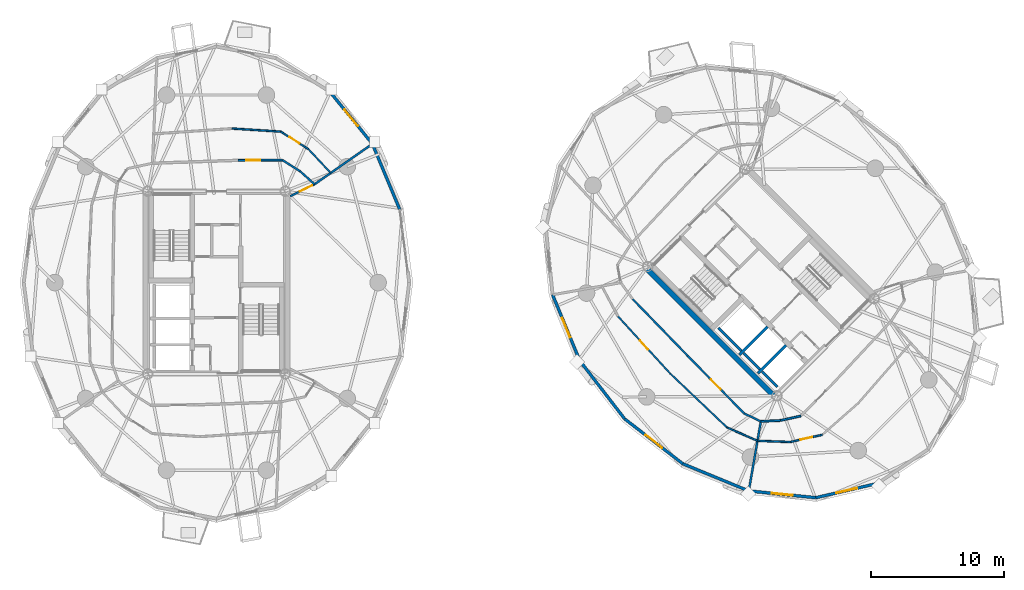
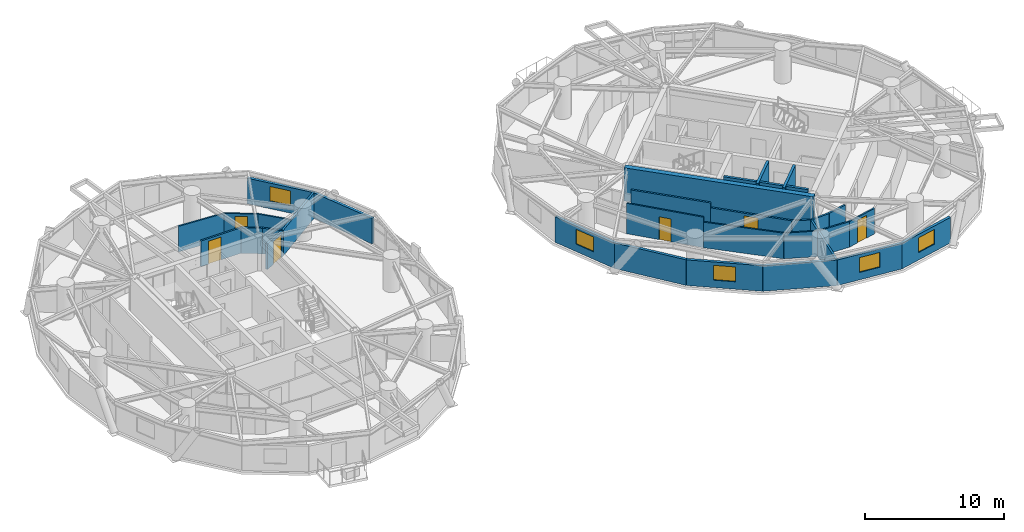
# One storey, part 13 of 19: 33 walls, 6 doors, 5 windows, 11 openings.
"""IFC4 building model written with IfcOpenShell, lengths in metres."""

from ifc_helpers import new_model, si_unit, direction, frame, frame_2d, origin, place, context, subcontext, project, spatial, rectangle, extrude, source, transform, mapped, material, layer, layer_set, type_object, element, fill, save


model = new_model("IFC4")

# Units and contexts
model_context = context("Model", 3, precision=1e-05, world=origin(), true_north=direction((0.0, 1.0)))
body_context = subcontext(model_context, "Body", "Model", "MODEL_VIEW")
ifc_project = project(units=[si_unit("LENGTHUNIT", "METRE"), si_unit("AREAUNIT", "SQUARE_METRE"), si_unit("VOLUMEUNIT", "CUBIC_METRE"), si_unit("PLANEANGLEUNIT", "RADIAN"), si_unit("MASSUNIT", "GRAM", prefix="KILO")], contexts=[model_context])

# Site, building, storey
site_placement = place(None, origin())
site = spatial("IfcSite", under=ifc_project, at=site_placement, CompositionType="ELEMENT")
building_placement = place(site_placement, origin())
building = spatial("IfcBuilding", under=site, at=building_placement, Name="Cununo Teusaquillo Station Towers", CompositionType="ELEMENT")
storey_placement = place(building_placement, frame((0.0, 0.0, 160.330078125)))
storey = spatial("IfcBuildingStorey", under=building, at=storey_placement, Name="L50", CompositionType="ELEMENT", Elevation=160.330078125)

# Walls
ifc_material_1 = material(Name="Concrete C50/60", Category="concrete")
ifc_layer_1 = layer(ifc_material_1, 0.199951171875)
ifc_layer_set_1 = layer_set([ifc_layer_1], Name="Concrete C50/60")
wall_type_1 = type_object("IfcWallType", Name="WL-CORE-200", PredefinedType="SHEAR", material=ifc_layer_set_1)
wall_1_placement = place(storey_placement, frame((55.8876953125, 19.0693359375, 0.0), z_axis=(0.0, 0.0, 1.0), x_axis=(0.707106781187, 0.707106781187, 0.0)))
element("IfcWall", 1, at=wall_1_placement, inside=storey, type_object=wall_type_1, Name="L50 Tower B Firefighting Lift Shaft South Shear Wall", PredefinedType="SHEAR", context=body_context, shape_type="SweptSolid", body=[
    extrude(rectangle(XDim=2.969970703125, YDim=0.199951171875, at=frame_2d((1.48486328125, 0.0))), origin(), (0.0, 0.0, 1.0), 2.909912109375),
])
wall_2_placement = place(storey_placement, frame((56.01513671875, 19.366455078125, 0.0), z_axis=(0.0, 0.0, 1.0), x_axis=(-0.707106781187, 0.707106781187, 0.0)))
element("IfcWall", 2, at=wall_2_placement, inside=storey, type_object=wall_type_1, Name="L50 Tower B Firefighting Lift Shaft Rear Shear Wall", PredefinedType="SHEAR", context=body_context, shape_type="SweptSolid", body=[
    extrude(rectangle(XDim=2.43994140625, YDim=0.199951171875, at=frame_2d((1.219970703125, 0.0))), origin(), (0.0, 0.0, 1.0), 2.909912109375),
])
wall_3_placement = place(storey_placement, frame((57.2841796875, 17.6728515625, 0.0), z_axis=(0.0, 0.0, 1.0), x_axis=(0.707147878904, 0.70706568108, 0.0)))
element("IfcWall", 3, at=wall_3_placement, inside=storey, type_object=wall_type_1, Name="L50 Tower B High-Rise Lift Hoistway Divider Shear Wall", PredefinedType="SHEAR", context=body_context, shape_type="SweptSolid", body=[
    extrude(rectangle(XDim=2.97021484375, YDim=0.199951171875, at=frame_2d((1.485107421875, 0.0))), origin(), (0.0, 0.0, 1.0), 2.909912109375),
])
wall_4_placement = place(storey_placement, frame((57.41162109375, 17.969970703125, 0.0), z_axis=(0.0, 0.0, 1.0), x_axis=(-0.707106781187, 0.707106781187, 0.0)))
element("IfcWall", 4, at=wall_4_placement, inside=storey, type_object=wall_type_1, Name="L50 Tower B High-Rise Lift 2 Shaft Rear Shear Wall", PredefinedType="SHEAR", context=body_context, shape_type="SweptSolid", body=[
    extrude(rectangle(XDim=1.73486328125, YDim=0.199951171875, at=frame_2d((0.867431640625, 0.0))), origin(), (0.0, 0.0, 1.0), 2.909912109375),
])
wall_5_placement = place(storey_placement, frame((58.7373046875, 16.64404296875, 0.0), z_axis=(0.0, 0.0, 1.0), x_axis=(-0.707032117043, 0.707181437447, 0.0)))
element("IfcWall", 5, at=wall_5_placement, inside=storey, type_object=wall_type_1, Name="L50 Tower B High-Rise Lift 1 Shaft Rear Shear Wall", PredefinedType="SHEAR", context=body_context, shape_type="SweptSolid", body=[
    extrude(rectangle(XDim=1.635009765625, YDim=0.199951171875, at=frame_2d((0.8173828125, 0.0))), origin(), (0.0, 0.0, 1.0), 2.909912109375),
])
ifc_material_2 = material(Name="Concrete C50/60", Category="concrete")
ifc_layer_2 = layer(ifc_material_2, 0.39990234375)
ifc_layer_set_2 = layer_set([ifc_layer_2], Name="Concrete C50/60")
wall_type_2 = type_object("IfcWallType", Name="WL-CORE-400", PredefinedType="SHEAR", material=ifc_layer_set_2)
wall_6_placement = place(storey_placement, frame((58.7021484375, 15.73193359375, 0.0), z_axis=(0.0, 0.0, 1.0), x_axis=(-0.707106781187, 0.707106781187, 0.0)))
element("IfcWall", 6, at=wall_6_placement, inside=storey, type_object=wall_type_2, Name="L50 Tower B Core Shear Wall W", PredefinedType="SHEAR", context=body_context, shape_type="SweptSolid", body=[
    extrude(rectangle(XDim=14.10009765625, YDim=0.39990234375, at=frame_2d((7.050048828125, 0.0))), origin(), (0.0, 0.0, 1.0), 2.909912109375),
])
ifc_material_3 = material(Name="Precast concrete C40/50", Category="concrete")
ifc_layer_3 = layer(ifc_material_3, 0.219970703125)
ifc_layer_set_3 = layer_set([ifc_layer_3], Name="Precast concrete C40/50")
wall_type_3 = type_object("IfcWallType", Name="WL-EXT-220", PredefinedType="SOLIDWALL", material=ifc_layer_set_3)
wall_7_placement = place(storey_placement, frame((28.242919921875, 34.94482421875, 0.0), z_axis=(0.0, 0.0, 1.0), x_axis=(0.384259959969, -0.923224936386, 0.0)))
element("IfcWall", 7, at=wall_7_placement, inside=storey, type_object=wall_type_3, Name="L50 Tower A Exterior Facade Wall C01", PredefinedType="SOLIDWALL", context=body_context, shape_type="SweptSolid", body=[
    extrude(rectangle(XDim=5.365478515625, YDim=0.219970703125, at=frame_2d((2.6826171875, 0.0))), origin(), (0.0, 0.0, 1.0), 2.244873046875),
])

# Wall, opening, window
wall_8_placement = place(storey_placement, frame((25.03173828125, 38.876220703125, 0.0), z_axis=(0.0, 0.0, 1.0), x_axis=(0.632598524901, -0.774479894053, 0.0)))
wall_8 = element("IfcWall", 8, at=wall_8_placement, inside=storey, type_object=wall_type_3, Name="L50 Tower A Exterior Facade Wall C02", PredefinedType="SOLIDWALL", context=body_context, shape_type="SweptSolid", body=[
    extrude(rectangle(XDim=5.076171875, YDim=0.219970703125, at=frame_2d((2.5380859375, 0.0))), origin(), (0.0, 0.0, 1.0), 2.244873046875),
])
shared_shape_1 = source(origin(), body_context, "Body", "SweptSolid", [
    extrude(rectangle(XDim=1.60009765625, YDim=1.300048828125, at=frame_2d((0.800048828125, 0.64990234375))), frame((0.0, 0.119873046875, 0.0), z_axis=(0.0, -1.0, 0.0), x_axis=(1.0, 0.0, 0.0)), (0.0, 0.0, 1.0), 0.239990234375),
])
opening_1_placement = place(wall_8_placement, frame((1.738037109375, 0.0, 0.64990234375)))
opening_1 = element("IfcOpeningElement", 9, at=opening_1_placement, cuts=wall_8, Name="Opening WN-03", PredefinedType="OPENING", context=body_context, shape_type="MappedRepresentation", body=[
    mapped(shared_shape_1, transform((0.0, 0.0, 0.0), x_axis=(1.0, 0.0, 0.0), y_axis=(0.0, 1.0, 0.0), z_axis=(0.0, 0.0, 1.0), scale=1.0)),
])
ifc_material_4 = material(Name="Ceramic-fritted dark low-E double glazing", Category="glass")
window_type = type_object("IfcWindowType", Name="WIN-CORN-1600", PartitioningType="SINGLE_PANEL", PredefinedType="WINDOW", material=ifc_material_4)
shared_shape_2 = source(origin(), body_context, "Body", "SweptSolid", [
    extrude(rectangle(XDim=1.60009765625, YDim=1.300048828125, at=frame_2d((0.800048828125, 0.64990234375))), frame((0.0, 0.030029296875, 0.0), z_axis=(0.0, -1.0, 0.0), x_axis=(1.0, 0.0, 0.0)), (0.0, 0.0, 1.0), 0.06005859375),
])
window_1_placement = place(opening_1_placement, origin())
window_1 = element("IfcWindow", 10, at=window_1_placement, inside=storey, type_object=window_type, Name="L50 Tower A Facade Window C02", OverallHeight=1.300048828125, OverallWidth=1.60009765625, PartitioningType="SINGLE_PANEL", PredefinedType="WINDOW", context=body_context, shape_type="MappedRepresentation", body=[
    mapped(shared_shape_2, transform((0.0, 0.0, 0.0), x_axis=(1.0, 0.0, 0.0), y_axis=(0.0, 1.0, 0.0), z_axis=(0.0, 0.0, 1.0), scale=1.0)),
])
fill(opening_1, window_1)

wall_9_placement = place(storey_placement, frame((43.855712890625, 18.62158203125, 0.0), z_axis=(0.0, 0.0, 1.0), x_axis=(-0.38111364655, 0.924528197738, 0.0)))
wall_9 = element("IfcWall", 11, at=wall_9_placement, inside=storey, type_object=wall_type_3, Name="L50 Tower B Exterior Facade Wall C08", PredefinedType="SOLIDWALL", context=body_context, shape_type="SweptSolid", body=[
    extrude(rectangle(XDim=5.36572265625, YDim=0.219970703125, at=frame_2d((2.682861328125, 0.0))), origin(), (0.0, 0.0, 1.0), 2.244873046875),
])
opening_2_placement = place(wall_9_placement, frame((1.883056640625, 0.0, 0.64990234375)))
opening_2 = element("IfcOpeningElement", 12, at=opening_2_placement, cuts=wall_9, Name="Opening WN-03", PredefinedType="OPENING", context=body_context, shape_type="MappedRepresentation", body=[
    mapped(shared_shape_1, transform((0.0, 0.0, 0.0), x_axis=(1.0, 0.0, 0.0), y_axis=(0.0, 1.0, 0.0), z_axis=(0.0, 0.0, 1.0), scale=1.0)),
])
window_2_placement = place(opening_2_placement, origin())
window_2 = element("IfcWindow", 13, at=window_2_placement, inside=storey, type_object=window_type, Name="L50 Tower B Facade Window C08", OverallHeight=1.300048828125, OverallWidth=1.60009765625, PartitioningType="SINGLE_PANEL", PredefinedType="WINDOW", context=body_context, shape_type="MappedRepresentation", body=[
    mapped(shared_shape_2, transform((0.0, 0.0, 0.0), x_axis=(1.0, 0.0, 0.0), y_axis=(0.0, 1.0, 0.0), z_axis=(0.0, 0.0, 1.0), scale=1.0)),
])
fill(opening_2, window_2)

# Wall
wall_10_placement = place(storey_placement, frame((47.236328125, 14.236328125, 0.0), z_axis=(0.0, 0.0, 1.0), x_axis=(-0.610543584779, 0.791982658323, 0.0)))
element("IfcWall", 14, at=wall_10_placement, inside=storey, type_object=wall_type_3, Name="L50 Tower B Exterior Facade Wall C09", PredefinedType="SOLIDWALL", context=body_context, shape_type="SweptSolid", body=[
    extrude(rectangle(XDim=5.537109375, YDim=0.219970703125, at=frame_2d((2.7685546875, 0.0))), origin(), (0.0, 0.0, 1.0), 2.244873046875),
])

# Wall, opening, window
wall_11_placement = place(storey_placement, frame((51.62158203125, 10.855712890625, 0.0), z_axis=(0.0, 0.0, 1.0), x_axis=(-0.791982658323, 0.610543584779, 0.0)))
wall_11 = element("IfcWall", 15, at=wall_11_placement, inside=storey, type_object=wall_type_3, Name="L50 Tower B Exterior Facade Wall C10", PredefinedType="SOLIDWALL", context=body_context, shape_type="SweptSolid", body=[
    extrude(rectangle(XDim=5.537109375, YDim=0.219970703125, at=frame_2d((2.7685546875, 0.0))), origin(), (0.0, 0.0, 1.0), 2.244873046875),
])
opening_3_placement = place(wall_11_placement, frame((1.968017578125, 0.0, 0.64990234375)))
opening_3 = element("IfcOpeningElement", 16, at=opening_3_placement, cuts=wall_11, Name="Opening WN-03", PredefinedType="OPENING", context=body_context, shape_type="MappedRepresentation", body=[
    mapped(shared_shape_1, transform((0.0, 0.0, 0.0), x_axis=(1.0, 0.0, 0.0), y_axis=(0.0, 1.0, 0.0), z_axis=(0.0, 0.0, 1.0), scale=1.0)),
])
window_3_placement = place(opening_3_placement, origin())
window_3 = element("IfcWindow", 17, at=window_3_placement, inside=storey, type_object=window_type, Name="L50 Tower B Facade Window C10", OverallHeight=1.300048828125, OverallWidth=1.60009765625, PartitioningType="SINGLE_PANEL", PredefinedType="WINDOW", context=body_context, shape_type="MappedRepresentation", body=[
    mapped(shared_shape_2, transform((0.0, 0.0, 0.0), x_axis=(1.0, 0.0, 0.0), y_axis=(0.0, 1.0, 0.0), z_axis=(0.0, 0.0, 1.0), scale=1.0)),
])
fill(opening_3, window_3)

# Wall
wall_12_placement = place(storey_placement, frame((56.582275390625, 8.810791015625, 0.0), z_axis=(0.0, 0.0, 1.0), x_axis=(-0.924528197738, 0.38111364655, 0.0)))
element("IfcWall", 18, at=wall_12_placement, inside=storey, type_object=wall_type_3, Name="L50 Tower B Exterior Facade Wall C11", PredefinedType="SOLIDWALL", context=body_context, shape_type="SweptSolid", body=[
    extrude(rectangle(XDim=5.36572265625, YDim=0.219970703125, at=frame_2d((2.682861328125, 0.0))), origin(), (0.0, 0.0, 1.0), 2.244873046875),
])

# Wall, opening, window
wall_13_placement = place(storey_placement, frame((61.6328125, 8.3017578125, 0.0), z_axis=(0.0, 0.0, 1.0), x_axis=(-0.994959267396, 0.100279889424, 0.0)))
wall_13 = element("IfcWall", 19, at=wall_13_placement, inside=storey, type_object=wall_type_3, Name="L50 Tower B Exterior Facade Wall C12", PredefinedType="SOLIDWALL", context=body_context, shape_type="SweptSolid", body=[
    extrude(rectangle(XDim=5.076171875, YDim=0.219970703125, at=frame_2d((2.5380859375, 0.0))), origin(), (0.0, 0.0, 1.0), 2.244873046875),
])
opening_4_placement = place(wall_13_placement, frame((1.738037109375, 0.0, 0.64990234375)))
opening_4 = element("IfcOpeningElement", 20, at=opening_4_placement, cuts=wall_13, Name="Opening WN-03", PredefinedType="OPENING", context=body_context, shape_type="MappedRepresentation", body=[
    mapped(shared_shape_1, transform((0.0, 0.0, 0.0), x_axis=(1.0, 0.0, 0.0), y_axis=(0.0, 1.0, 0.0), z_axis=(0.0, 0.0, 1.0), scale=1.0)),
])
window_4_placement = place(opening_4_placement, origin())
window_4 = element("IfcWindow", 21, at=window_4_placement, inside=storey, type_object=window_type, Name="L50 Tower B Facade Window C12", OverallHeight=1.300048828125, OverallWidth=1.60009765625, PartitioningType="SINGLE_PANEL", PredefinedType="WINDOW", context=body_context, shape_type="MappedRepresentation", body=[
    mapped(shared_shape_2, transform((0.0, 0.0, 0.0), x_axis=(1.0, 0.0, 0.0), y_axis=(0.0, 1.0, 0.0), z_axis=(0.0, 0.0, 1.0), scale=1.0)),
])
fill(opening_4, window_4)

wall_14_placement = place(storey_placement, frame((66.27880859375, 9.3779296875, 0.0), z_axis=(0.0, 0.0, 1.0), x_axis=(-0.974206226622, -0.225659540039, 0.0)))
wall_14 = element("IfcWall", 22, at=wall_14_placement, inside=storey, type_object=wall_type_3, Name="L50 Tower B Exterior Facade Wall C13", PredefinedType="SOLIDWALL", context=body_context, shape_type="SweptSolid", body=[
    extrude(rectangle(XDim=4.76904296875, YDim=0.219970703125, at=frame_2d((2.384521484375, 0.0))), origin(), (0.0, 0.0, 1.0), 2.244873046875),
])
opening_5_placement = place(wall_14_placement, frame((1.5849609375, 0.0, 0.64990234375)))
opening_5 = element("IfcOpeningElement", 23, at=opening_5_placement, cuts=wall_14, Name="Opening WN-03", PredefinedType="OPENING", context=body_context, shape_type="MappedRepresentation", body=[
    mapped(shared_shape_1, transform((0.0, 0.0, 0.0), x_axis=(1.0, 0.0, 0.0), y_axis=(0.0, 1.0, 0.0), z_axis=(0.0, 0.0, 1.0), scale=1.0)),
])
window_5_placement = place(opening_5_placement, origin())
window_5 = element("IfcWindow", 24, at=window_5_placement, inside=storey, type_object=window_type, Name="L50 Tower B Facade Window C13", OverallHeight=1.300048828125, OverallWidth=1.60009765625, PartitioningType="SINGLE_PANEL", PredefinedType="WINDOW", context=body_context, shape_type="MappedRepresentation", body=[
    mapped(shared_shape_2, transform((0.0, 0.0, 0.0), x_axis=(1.0, 0.0, 0.0), y_axis=(0.0, 1.0, 0.0), z_axis=(0.0, 0.0, 1.0), scale=1.0)),
])
fill(opening_5, window_5)

# Wall
ifc_material_5 = material(Name="Fire-rated gypsum plasterboard partition assembly", Category="gypsum")
ifc_layer_4 = layer(ifc_material_5, 0.125)
ifc_layer_set_4 = layer_set([ifc_layer_4], Name="Fire-rated gypsum plasterboard partition assembly")
wall_type_4 = type_object("IfcWallType", Name="WL-PART-125", PredefinedType="PARTITIONING", material=ifc_layer_set_4)
wall_15_placement = place(storey_placement, frame((25.10205078125, 32.75390625, 0.0), z_axis=(0.0, 0.0, 1.0), x_axis=(-0.682434647851, 0.730946613243, 0.0)))
element("IfcWall", 25, at=wall_15_placement, inside=storey, type_object=wall_type_4, Name="L50 Tower A High-Zone Club Reading & Dining Hall Concentric Partition Wall C02", PredefinedType="PARTITIONING", context=body_context, shape_type="SweptSolid", body=[
    extrude(rectangle(XDim=2.466064453125, YDim=0.125, at=frame_2d((1.23291015625, 0.0))), origin(), (0.0, 0.0, 1.0), 2.244873046875),
])

# Wall, opening, door
wall_16_placement = place(storey_placement, frame((23.419189453125, 34.556396484375, 0.0), z_axis=(0.0, 0.0, 1.0), x_axis=(-0.846723136015, 0.532033768605, 0.0)))
wall_16 = element("IfcWall", 26, at=wall_16_placement, inside=storey, type_object=wall_type_4, Name="L50 Tower A High-Zone Club Reading & Dining Hall Concentric Partition Wall C03", PredefinedType="PARTITIONING", context=body_context, shape_type="SweptSolid", body=[
    extrude(rectangle(XDim=2.4677734375, YDim=0.125, at=frame_2d((1.23388671875, 0.0))), origin(), (0.0, 0.0, 1.0), 2.244873046875),
])
shared_shape_3 = source(origin(), body_context, "Body", "SweptSolid", [
    extrude(rectangle(XDim=0.89990234375, YDim=2.0048828125, at=frame_2d((0.449951171875, 1.00244140625))), frame((0.0, 0.072509765625, 0.0), z_axis=(0.0, -1.0, 0.0), x_axis=(1.0, 0.0, 0.0)), (0.0, 0.0, 1.0), 0.14501953125),
])
opening_6_placement = place(wall_16_placement, frame((0.783935546875, 0.0, 0.0)))
opening_6 = element("IfcOpeningElement", 27, at=opening_6_placement, cuts=wall_16, Name="Opening D-IN1", PredefinedType="OPENING", context=body_context, shape_type="MappedRepresentation", body=[
    mapped(shared_shape_3, transform((0.0, 0.0, 0.0), x_axis=(1.0, 0.0, 0.0), y_axis=(0.0, 1.0, 0.0), z_axis=(0.0, 0.0, 1.0), scale=1.0)),
])
ifc_material_6 = material(Name="Acoustic solid-core hardwood leaf assembly", Category="wood")
door_type_1 = type_object("IfcDoorType", Name="DR-INT-900", OperationType="NOTDEFINED", PredefinedType="DOOR", material=ifc_material_6)
shared_shape_4 = source(origin(), body_context, "Body", "SweptSolid", [
    extrude(rectangle(XDim=0.89990234375, YDim=2.0048828125, at=frame_2d((0.449951171875, 1.00244140625))), frame((0.0, 0.02490234375, 0.0), z_axis=(0.0, -1.0, 0.0), x_axis=(1.0, 0.0, 0.0)), (0.0, 0.0, 1.0), 0.050048828125),
])
door_1_placement = place(opening_6_placement, origin())
door_1 = element("IfcDoor", 28, at=door_1_placement, inside=storey, type_object=door_type_1, Name="L50 Tower A High-Zone Club Reading & Dining Hall Connecting Door", OperationType="SINGLE_SWING_RIGHT", OverallHeight=2.0048828125, OverallWidth=0.89990234375, PredefinedType="DOOR", context=body_context, shape_type="MappedRepresentation", body=[
    mapped(shared_shape_4, transform((0.0, 0.0, 0.0), x_axis=(1.0, 0.0, 0.0), y_axis=(0.0, 1.0, 0.0), z_axis=(0.0, 0.0, 1.0), scale=1.0)),
])
fill(opening_6, door_1)

# Wall
wall_17_placement = place(storey_placement, frame((21.32958984375, 35.869384765625, 0.0), z_axis=(0.0, 0.0, 1.0), x_axis=(-0.998008048565, 0.063086726015, 0.0)))
element("IfcWall", 29, at=wall_17_placement, inside=storey, type_object=wall_type_4, Name="L50 Tower A High-Zone Club Reading & Dining Hall Concentric Partition Wall C04", PredefinedType="PARTITIONING", context=body_context, shape_type="SweptSolid", body=[
    extrude(rectangle(XDim=3.668701171875, YDim=0.125, at=frame_2d((1.83447265625, 0.0))), origin(), (0.0, 0.0, 1.0), 2.244873046875),
])

# Wall, opening, door
wall_18_placement = place(storey_placement, frame((46.732177734375, 21.958984375, 0.0), z_axis=(0.0, 0.0, 1.0), x_axis=(0.674328014222, -0.738431939474, 0.0)))
wall_18 = element("IfcWall", 30, at=wall_18_placement, inside=storey, type_object=wall_type_4, Name="L50 Tower B Sabana Wellness & Spa Lounge Concentric Partition Wall C09", PredefinedType="PARTITIONING", context=body_context, shape_type="SweptSolid", body=[
    extrude(rectangle(XDim=5.8232421875, YDim=0.125, at=frame_2d((2.91162109375, 0.0))), origin(), (0.0, 0.0, 1.0), 2.6748046875),
])
opening_7_placement = place(wall_18_placement, frame((2.461669921875, 0.0, 0.0)))
opening_7 = element("IfcOpeningElement", 31, at=opening_7_placement, cuts=wall_18, Name="Opening D-IN1", PredefinedType="OPENING", context=body_context, shape_type="MappedRepresentation", body=[
    mapped(shared_shape_3, transform((0.0, 0.0, 0.0), x_axis=(1.0, 0.0, 0.0), y_axis=(0.0, 1.0, 0.0), z_axis=(0.0, 0.0, 1.0), scale=1.0)),
])
door_2_placement = place(opening_7_placement, origin())
door_2 = element("IfcDoor", 32, at=door_2_placement, inside=storey, type_object=door_type_1, Name="L50 Tower B Sabana Wellness & Spa Lounge Connecting Door", OperationType="SINGLE_SWING_RIGHT", OverallHeight=2.0048828125, OverallWidth=0.89990234375, PredefinedType="DOOR", context=body_context, shape_type="MappedRepresentation", body=[
    mapped(shared_shape_4, transform((0.0, 0.0, 0.0), x_axis=(1.0, 0.0, 0.0), y_axis=(0.0, 1.0, 0.0), z_axis=(0.0, 0.0, 1.0), scale=1.0)),
])
fill(opening_7, door_2)

# Walls
wall_19_placement = place(storey_placement, frame((50.658935546875, 17.658935546875, 0.0), z_axis=(0.0, 0.0, 1.0), x_axis=(0.72516873678, -0.688571204159, 0.0)))
element("IfcWall", 33, at=wall_19_placement, inside=storey, type_object=wall_type_4, Name="L50 Tower B Sabana Wellness & Spa Lounge Concentric Partition Wall C10", PredefinedType="PARTITIONING", context=body_context, shape_type="SweptSolid", body=[
    extrude(rectangle(XDim=5.90380859375, YDim=0.125, at=frame_2d((2.951904296875, 0.0))), origin(), (0.0, 0.0, 1.0), 2.244873046875),
])
wall_20_placement = place(storey_placement, frame((54.940185546875, 13.59375, 0.0), z_axis=(0.0, 0.0, 1.0), x_axis=(0.915898070967, -0.401410916143, 0.0)))
element("IfcWall", 34, at=wall_20_placement, inside=storey, type_object=wall_type_4, Name="L50 Tower B Sabana Wellness & Spa Lounge Concentric Partition Wall C11", PredefinedType="PARTITIONING", context=body_context, shape_type="SweptSolid", body=[
    extrude(rectangle(XDim=2.5087890625, YDim=0.125, at=frame_2d((1.25439453125, 0.0))), origin(), (0.0, 0.0, 1.0), 2.244873046875),
])
wall_21_placement = place(storey_placement, frame((57.238037109375, 12.586669921875, 0.0), z_axis=(0.0, 0.0, 1.0), x_axis=(0.999316318576, -0.036971548882, 0.0)))
element("IfcWall", 35, at=wall_21_placement, inside=storey, type_object=wall_type_4, Name="L50 Tower B Cordillera Executive Conference Salon Concentric Partition Wall C12", PredefinedType="PARTITIONING", context=body_context, shape_type="SweptSolid", body=[
    extrude(rectangle(XDim=2.476318359375, YDim=0.125, at=frame_2d((1.23828125, 0.0))), origin(), (0.0, 0.0, 1.0), 2.244873046875),
])

# Wall, opening, door
wall_22_placement = place(storey_placement, frame((59.712646484375, 12.4951171875, 0.0), z_axis=(0.0, 0.0, 1.0), x_axis=(0.975260144608, 0.221060286662, 0.0)))
wall_22 = element("IfcWall", 36, at=wall_22_placement, inside=storey, type_object=wall_type_4, Name="L50 Tower B Cordillera Executive Conference Salon Concentric Partition Wall C13", PredefinedType="PARTITIONING", context=body_context, shape_type="SweptSolid", body=[
    extrude(rectangle(XDim=2.465087890625, YDim=0.125, at=frame_2d((1.232421875, 0.0))), origin(), (0.0, 0.0, 1.0), 2.244873046875),
])
opening_8_placement = place(wall_22_placement, frame((0.782470703125, 0.0, 0.0)))
opening_8 = element("IfcOpeningElement", 37, at=opening_8_placement, cuts=wall_22, Name="Opening D-IN1", PredefinedType="OPENING", context=body_context, shape_type="MappedRepresentation", body=[
    mapped(shared_shape_3, transform((0.0, 0.0, 0.0), x_axis=(1.0, 0.0, 0.0), y_axis=(0.0, 1.0, 0.0), z_axis=(0.0, 0.0, 1.0), scale=1.0)),
])
door_3_placement = place(opening_8_placement, origin())
door_3 = element("IfcDoor", 38, at=door_3_placement, inside=storey, type_object=door_type_1, Name="L50 Tower B Cordillera Executive Conference Salon Connecting Door", OperationType="SINGLE_SWING_RIGHT", OverallHeight=2.0048828125, OverallWidth=0.89990234375, PredefinedType="DOOR", context=body_context, shape_type="MappedRepresentation", body=[
    mapped(shared_shape_4, transform((0.0, 0.0, 0.0), x_axis=(1.0, 0.0, 0.0), y_axis=(0.0, 1.0, 0.0), z_axis=(0.0, 0.0, 1.0), scale=1.0)),
])
fill(opening_8, door_3)

# Walls
ifc_material_7 = material(Name="Fire-rated gypsum plasterboard partition assembly", Category="gypsum")
ifc_layer_5 = layer(ifc_material_7, 0.14990234375)
ifc_layer_set_5 = layer_set([ifc_layer_5], Name="Fire-rated gypsum plasterboard partition assembly")
wall_type_5 = type_object("IfcWallType", Name="WL-PART-150", PredefinedType="PARTITIONING", material=ifc_layer_set_5)
wall_23_placement = place(storey_placement, frame((23.886962890625, 31.90625, 0.0), z_axis=(0.0, 0.0, 1.0), x_axis=(-0.744900957214, 0.66717506244, 0.0)))
element("IfcWall", 39, at=wall_23_placement, inside=storey, type_object=wall_type_5, Name="L50 Tower A Corridor Ring Wall C02", PredefinedType="PARTITIONING", context=body_context, shape_type="SweptSolid", body=[
    extrude(rectangle(XDim=1.463623046875, YDim=0.14990234375, at=frame_2d((0.73193359375, 0.0))), origin(), (0.0, 0.0, 1.0), 2.244873046875),
])
wall_24_placement = place(storey_placement, frame((22.796630859375, 32.8828125, 0.0), z_axis=(0.0, 0.0, 1.0), x_axis=(-0.84484009232, 0.535018895375, 0.0)))
element("IfcWall", 40, at=wall_24_placement, inside=storey, type_object=wall_type_5, Name="L50 Tower A Corridor Ring Wall C03", PredefinedType="PARTITIONING", context=body_context, shape_type="SweptSolid", body=[
    extrude(rectangle(XDim=1.5751953125, YDim=0.14990234375, at=frame_2d((0.78759765625, 0.0))), origin(), (0.0, 0.0, 1.0), 2.244873046875),
])

# Wall, opening, door
wall_25_placement = place(storey_placement, frame((21.4658203125, 33.7255859375, 0.0), z_axis=(0.0, 0.0, 1.0), x_axis=(-0.99998838579, -0.004819573058, 0.0)))
wall_25 = element("IfcWall", 41, at=wall_25_placement, inside=storey, type_object=wall_type_5, Name="L50 Tower A Corridor Ring Wall C04", PredefinedType="PARTITIONING", context=body_context, shape_type="SweptSolid", body=[
    extrude(rectangle(XDim=3.34326171875, YDim=0.14990234375, at=frame_2d((1.671630859375, 0.0))), origin(), (0.0, 0.0, 1.0), 2.244873046875),
])
shared_shape_5 = source(origin(), body_context, "Body", "SweptSolid", [
    extrude(rectangle(XDim=1.050048828125, YDim=2.014892578125, at=frame_2d((0.52490234375, 1.00732421875))), frame((0.0, 0.0849609375, 0.0), z_axis=(0.0, -1.0, 0.0), x_axis=(1.0, 0.0, 0.0)), (0.0, 0.0, 1.0), 0.169921875),
])
opening_9_placement = place(wall_25_placement, frame((1.659912109375, 0.0, 0.0)))
opening_9 = element("IfcOpeningElement", 42, at=opening_9_placement, cuts=wall_25, Name="Opening D-SU1", PredefinedType="OPENING", context=body_context, shape_type="MappedRepresentation", body=[
    mapped(shared_shape_5, transform((0.0, 0.0, 0.0), x_axis=(1.0, 0.0, 0.0), y_axis=(0.0, 1.0, 0.0), z_axis=(0.0, 0.0, 1.0), scale=1.0)),
])
ifc_material_8 = material(Name="Acoustic solid-core hardwood leaf assembly", Category="wood")
door_type_2 = type_object("IfcDoorType", Name="DR-SUITE-1050", OperationType="NOTDEFINED", PredefinedType="DOOR", material=ifc_material_8)
shared_shape_6 = source(origin(), body_context, "Body", "SweptSolid", [
    extrude(rectangle(XDim=1.050048828125, YDim=2.014892578125, at=frame_2d((0.52490234375, 1.00732421875))), frame((0.0, 0.02490234375, 0.0), z_axis=(0.0, -1.0, 0.0), x_axis=(1.0, 0.0, 0.0)), (0.0, 0.0, 1.0), 0.050048828125),
])
door_4_placement = place(opening_9_placement, origin())
door_4 = element("IfcDoor", 43, at=door_4_placement, inside=storey, type_object=door_type_2, Name="L50 Tower A High-Zone Club Reading & Dining Hall Entrance Door", OperationType="SINGLE_SWING_LEFT", OverallHeight=2.014892578125, OverallWidth=1.050048828125, PredefinedType="DOOR", context=body_context, shape_type="MappedRepresentation", body=[
    mapped(shared_shape_6, transform((0.0, 0.0, 0.0), x_axis=(1.0, 0.0, 0.0), y_axis=(0.0, 1.0, 0.0), z_axis=(0.0, 0.0, 1.0), scale=1.0)),
])
fill(opening_9, door_4)

# Wall
wall_26_placement = place(storey_placement, frame((47.843994140625, 23.25341796875, 0.0), z_axis=(0.0, 0.0, 1.0), x_axis=(0.696248411352, -0.717800912293, 0.0)))
element("IfcWall", 44, at=wall_26_placement, inside=storey, type_object=wall_type_5, Name="L50 Tower B Corridor Ring Wall C09", PredefinedType="PARTITIONING", context=body_context, shape_type="SweptSolid", body=[
    extrude(rectangle(XDim=5.947021484375, YDim=0.14990234375, at=frame_2d((2.9736328125, 0.0))), origin(), (0.0, 0.0, 1.0), 2.6748046875),
])

# Wall, opening, door
wall_27_placement = place(storey_placement, frame((51.984619140625, 18.984619140625, 0.0), z_axis=(0.0, 0.0, 1.0), x_axis=(0.699619654291, -0.714515457726, 0.0)))
wall_27 = element("IfcWall", 45, at=wall_27_placement, inside=storey, type_object=wall_type_5, Name="L50 Tower B Corridor Ring Wall C10", PredefinedType="PARTITIONING", context=body_context, shape_type="SweptSolid", body=[
    extrude(rectangle(XDim=6.064208984375, YDim=0.14990234375, at=frame_2d((3.0322265625, 0.0))), origin(), (0.0, 0.0, 1.0), 2.244873046875),
])
opening_10_placement = place(wall_27_placement, frame((2.507080078125, 0.0, 0.0)))
opening_10 = element("IfcOpeningElement", 46, at=opening_10_placement, cuts=wall_27, Name="Opening D-SU1", PredefinedType="OPENING", context=body_context, shape_type="MappedRepresentation", body=[
    mapped(shared_shape_5, transform((0.0, 0.0, 0.0), x_axis=(1.0, 0.0, 0.0), y_axis=(0.0, 1.0, 0.0), z_axis=(0.0, 0.0, 1.0), scale=1.0)),
])
door_5_placement = place(opening_10_placement, origin())
door_5 = element("IfcDoor", 47, at=door_5_placement, inside=storey, type_object=door_type_2, Name="L50 Tower B Sabana Wellness & Spa Lounge Entrance Door", OperationType="SINGLE_SWING_LEFT", OverallHeight=2.014892578125, OverallWidth=1.050048828125, PredefinedType="DOOR", context=body_context, shape_type="MappedRepresentation", body=[
    mapped(shared_shape_6, transform((0.0, 0.0, 0.0), x_axis=(1.0, 0.0, 0.0), y_axis=(0.0, 1.0, 0.0), z_axis=(0.0, 0.0, 1.0), scale=1.0)),
])
fill(opening_10, door_5)

# Walls
wall_28_placement = place(storey_placement, frame((56.227294921875, 14.651611328125, 0.0), z_axis=(0.0, 0.0, 1.0), x_axis=(0.902364039563, -0.430974639745, 0.0)))
element("IfcWall", 48, at=wall_28_placement, inside=storey, type_object=wall_type_5, Name="L50 Tower B Corridor Ring Wall C11", PredefinedType="PARTITIONING", context=body_context, shape_type="SweptSolid", body=[
    extrude(rectangle(XDim=1.4013671875, YDim=0.14990234375, at=frame_2d((0.70068359375, 0.0))), origin(), (0.0, 0.0, 1.0), 2.244873046875),
])
wall_29_placement = place(storey_placement, frame((57.491943359375, 14.047607421875, 0.0), z_axis=(0.0, 0.0, 1.0), x_axis=(0.99885011351, 0.047942160364, 0.0)))
element("IfcWall", 49, at=wall_29_placement, inside=storey, type_object=wall_type_5, Name="L50 Tower B Corridor Ring Wall C12", PredefinedType="PARTITIONING", context=body_context, shape_type="SweptSolid", body=[
    extrude(rectangle(XDim=1.476806640625, YDim=0.14990234375, at=frame_2d((0.73828125, 0.0))), origin(), (0.0, 0.0, 1.0), 2.244873046875),
])
wall_30_placement = place(storey_placement, frame((58.967041015625, 14.118408203125, 0.0), z_axis=(0.0, 0.0, 1.0), x_axis=(0.976471358036, 0.215647135235, 0.0)))
element("IfcWall", 50, at=wall_30_placement, inside=storey, type_object=wall_type_5, Name="L50 Tower B Corridor Ring Wall C13", PredefinedType="PARTITIONING", context=body_context, shape_type="SweptSolid", body=[
    extrude(rectangle(XDim=1.5712890625, YDim=0.14990234375, at=frame_2d((0.78564453125, 0.0))), origin(), (0.0, 0.0, 1.0), 2.244873046875),
])
ifc_material_9 = material(Name="Fire-rated gypsum plasterboard partition assembly", Category="gypsum")
ifc_layer_6 = layer(ifc_material_9, 0.159912109375)
ifc_layer_set_6 = layer_set([ifc_layer_6], Name="Fire-rated gypsum plasterboard partition assembly")
wall_type_6 = type_object("IfcWallType", Name="WL-PART-160", PredefinedType="PARTITIONING", material=ifc_layer_set_6)
wall_31_placement = place(storey_placement, frame((23.886962890625, 31.90625, 0.0), z_axis=(0.0, 0.0, 1.0), x_axis=(0.820210533929, 0.572061779908, 0.0)))
element("IfcWall", 51, at=wall_31_placement, inside=storey, type_object=wall_type_6, Name="L50 Tower A Radial Suite Partition R01", PredefinedType="PARTITIONING", context=body_context, shape_type="SweptSolid", body=[
    extrude(rectangle(XDim=5.291015625, YDim=0.159912109375, at=frame_2d((2.6455078125, 0.0))), origin(), (0.0, 0.0, 1.0), 2.244873046875),
])

# Wall, opening, door
wall_32_placement = place(storey_placement, frame((22.050048828125, 31.0, 0.0), z_axis=(0.0, 0.0, 1.0), x_axis=(0.896798317999, 0.442439574218, 0.0)))
wall_32 = element("IfcWall", 52, at=wall_32_placement, inside=storey, type_object=wall_type_6, Name="L50 Tower A East Salon Corridor Portal Wall NE", PredefinedType="PARTITIONING", context=body_context, shape_type="SweptSolid", body=[
    extrude(rectangle(XDim=2.04833984375, YDim=0.159912109375, at=frame_2d((1.024169921875, 0.0))), origin(), (0.0, 0.0, 1.0), 2.244873046875),
])
shared_shape_7 = source(origin(), body_context, "Body", "SweptSolid", [
    extrude(rectangle(XDim=1.050048828125, YDim=2.014892578125, at=frame_2d((0.52490234375, 1.00732421875))), frame((0.0, 0.08984375, 0.0), z_axis=(0.0, -1.0, 0.0), x_axis=(1.0, 0.0, 0.0)), (0.0, 0.0, 1.0), 0.179931640625),
])
opening_11_placement = place(wall_32_placement, frame((0.79833984375, 0.0, 0.0)))
opening_11 = element("IfcOpeningElement", 53, at=opening_11_placement, cuts=wall_32, Name="Opening D-SU1", PredefinedType="OPENING", context=body_context, shape_type="MappedRepresentation", body=[
    mapped(shared_shape_7, transform((0.0, 0.0, 0.0), x_axis=(1.0, 0.0, 0.0), y_axis=(0.0, 1.0, 0.0), z_axis=(0.0, 0.0, 1.0), scale=1.0)),
])
door_6_placement = place(opening_11_placement, origin())
door_6 = element("IfcDoor", 54, at=door_6_placement, inside=storey, type_object=door_type_2, Name="L50 Tower A East Panorama Sky Salon Door NE", OperationType="SINGLE_SWING_LEFT", OverallHeight=2.014892578125, OverallWidth=1.050048828125, PredefinedType="DOOR", context=body_context, shape_type="MappedRepresentation", body=[
    mapped(shared_shape_6, transform((0.0, 0.0, 0.0), x_axis=(1.0, 0.0, 0.0), y_axis=(0.0, 1.0, 0.0), z_axis=(0.0, 0.0, 1.0), scale=1.0)),
])
fill(opening_11, door_6)

# Wall
wall_33_placement = place(storey_placement, frame((57.491943359375, 14.047607421875, 0.0), z_axis=(0.0, 0.0, 1.0), x_axis=(-0.171191349619, -0.985237799628, 0.0)))
element("IfcWall", 55, at=wall_33_placement, inside=storey, type_object=wall_type_6, Name="L50 Tower B Radial Suite Partition R04", PredefinedType="PARTITIONING", context=body_context, shape_type="SweptSolid", body=[
    extrude(rectangle(XDim=5.295166015625, YDim=0.159912109375, at=frame_2d((2.6474609375, 0.0))), origin(), (0.0, 0.0, 1.0), 2.244873046875),
])

save(model, "model.ifc")
